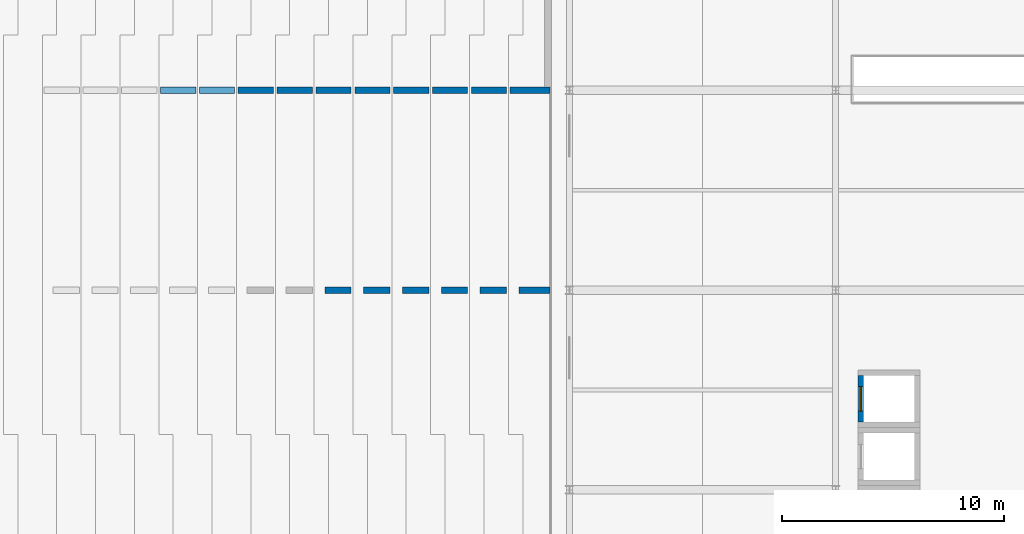
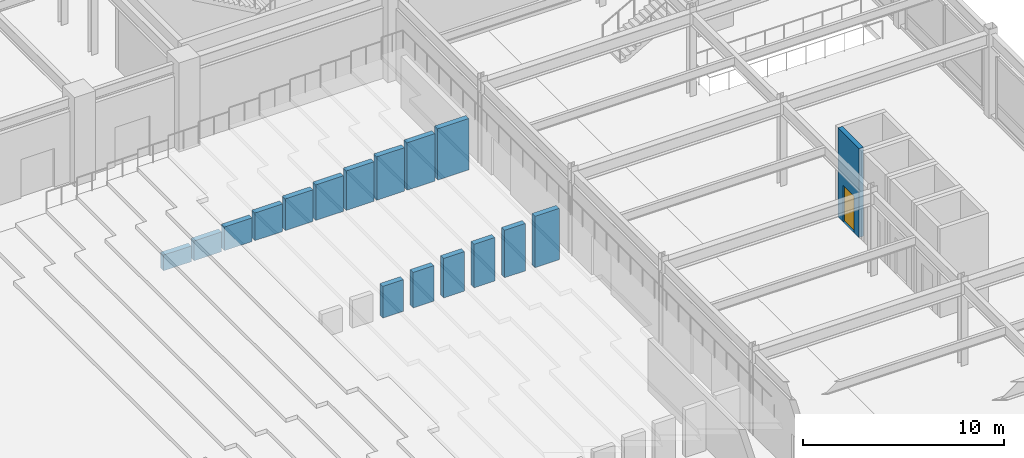
# One storey, part 82 of 100: 17 walls, 1 door, 1 opening.
"""IFC4 building model written with IfcOpenShell, lengths in metres."""

from ifc_helpers import new_model, si_unit, direction, frame, frame_2d, origin, place, context, subcontext, project, spatial, rectangle, extrude, material, layer, layer_set, type_object, element, fill, save


model = new_model("IFC4")

# Units and contexts
model_context = context("Model", 3, precision=1e-05, world=origin(), true_north=direction((0.0, 1.0)))
body_context = subcontext(model_context, "Body", "Model", "MODEL_VIEW")
ifc_project = project(units=[si_unit("LENGTHUNIT", "METRE"), si_unit("AREAUNIT", "SQUARE_METRE"), si_unit("VOLUMEUNIT", "CUBIC_METRE"), si_unit("PLANEANGLEUNIT", "RADIAN"), si_unit("MASSUNIT", "GRAM", prefix="KILO")], contexts=[model_context])

# Site, building, storey
site_placement = place(None, origin())
site = spatial("IfcSite", under=ifc_project, at=site_placement, CompositionType="ELEMENT")
building_placement = place(site_placement, origin())
building = spatial("IfcBuilding", under=site, at=building_placement, Name="Kaldorvane Square Convention Centre", CompositionType="ELEMENT")
storey_placement = place(building_placement, frame((0.0, 0.0, 18.0)))
storey = spatial("IfcBuildingStorey", under=building, at=storey_placement, Name="L03", CompositionType="ELEMENT", Elevation=18.0)

# Walls
ifc_material_1 = material(Name="Concrete f'c = 55 MPa (Normalweight)", Category="concrete")
ifc_layer = layer(ifc_material_1, 0.3000030517578125)
ifc_layer_set = layer_set([ifc_layer], Name="Concrete f'c = 55 MPa (Normalweight)")
wall_type = type_object("IfcWallType", Name="WL-SHAFT-300", PredefinedType="SHEAR", material=ifc_layer_set)
wall_1_placement = place(storey_placement, frame((95.58000183105469, 63.0, 0.0), z_axis=(0.0, 0.0, 1.0), x_axis=(1.0, 0.0, 0.0)))
element("IfcWall", 1, at=wall_1_placement, inside=storey, type_object=wall_type, Name="Plenary Tier 05 Stringer Wall 4", PredefinedType="SHEAR", context=body_context, shape_type="SweptSolid", body=[
    extrude(rectangle(XDim=1.589996337890625, YDim=0.3000030517578125, at=frame_2d((0.7949981689453125, 0.0))), origin(), (0.0, 0.0, 1.0), 0.9600067138671875),
])
wall_2_placement = place(storey_placement, frame((97.33000183105469, 63.0, 0.0), z_axis=(0.0, 0.0, 1.0), x_axis=(1.0, 0.0, 0.0)))
element("IfcWall", 2, at=wall_2_placement, inside=storey, type_object=wall_type, Name="Plenary Tier 06 Stringer Wall 4", PredefinedType="SHEAR", context=body_context, shape_type="SweptSolid", body=[
    extrude(rectangle(XDim=1.589996337890625, YDim=0.3000030517578125, at=frame_2d((0.7949981689453125, 0.0))), origin(), (0.0, 0.0, 1.0), 1.1999969482421875),
])
wall_3_placement = place(storey_placement, frame((99.08000183105469, 63.0, 0.0), z_axis=(0.0, 0.0, 1.0), x_axis=(1.0, 0.0, 0.0)))
element("IfcWall", 3, at=wall_3_placement, inside=storey, type_object=wall_type, Name="Plenary Tier 07 Stringer Wall 4", PredefinedType="SHEAR", context=body_context, shape_type="SweptSolid", body=[
    extrude(rectangle(XDim=1.589996337890625, YDim=0.3000030517578125, at=frame_2d((0.7949981689453125, 0.0))), origin(), (0.0, 0.0, 1.0), 1.44000244140625),
])
wall_4_placement = place(storey_placement, frame((100.83000183105469, 63.0, 0.0), z_axis=(0.0, 0.0, 1.0), x_axis=(1.0, 0.0, 0.0)))
element("IfcWall", 4, at=wall_4_placement, inside=storey, type_object=wall_type, Name="Plenary Tier 08 Stringer Wall 4", PredefinedType="SHEAR", context=body_context, shape_type="SweptSolid", body=[
    extrude(rectangle(XDim=1.589996337890625, YDim=0.3000030517578125, at=frame_2d((0.7949981689453125, 0.0))), origin(), (0.0, 0.0, 1.0), 1.67999267578125),
])
wall_5_placement = place(storey_placement, frame((102.97999572753906, 54.0, 0.0), z_axis=(0.0, 0.0, 1.0), x_axis=(1.0, 0.0, 0.0)))
element("IfcWall", 5, at=wall_5_placement, inside=storey, type_object=wall_type, Name="Plenary Tier 09 Stringer Wall 3", PredefinedType="SHEAR", context=body_context, shape_type="SweptSolid", body=[
    extrude(rectangle(XDim=1.19000244140625, YDim=0.3000030517578125, at=frame_2d((0.595001220703125, 0.0))), origin(), (0.0, 0.0, 1.0), 1.9199981689453125),
])
wall_6_placement = place(storey_placement, frame((102.58000183105469, 63.0, 0.0), z_axis=(0.0, 0.0, 1.0), x_axis=(1.0, 0.0, 0.0)))
element("IfcWall", 6, at=wall_6_placement, inside=storey, type_object=wall_type, Name="Plenary Tier 09 Stringer Wall 4", PredefinedType="SHEAR", context=body_context, shape_type="SweptSolid", body=[
    extrude(rectangle(XDim=1.589996337890625, YDim=0.3000030517578125, at=frame_2d((0.7949981689453125, 0.0))), origin(), (0.0, 0.0, 1.0), 1.9199981689453125),
])
wall_7_placement = place(storey_placement, frame((104.72999572753906, 54.0, 0.0), z_axis=(0.0, 0.0, 1.0), x_axis=(1.0, 0.0, 0.0)))
element("IfcWall", 7, at=wall_7_placement, inside=storey, type_object=wall_type, Name="Plenary Tier 10 Stringer Wall 3", PredefinedType="SHEAR", context=body_context, shape_type="SweptSolid", body=[
    extrude(rectangle(XDim=1.19000244140625, YDim=0.3000030517578125, at=frame_2d((0.595001220703125, 0.0))), origin(), (0.0, 0.0, 1.0), 2.160003662109375),
])
wall_8_placement = place(storey_placement, frame((104.33000183105469, 63.0, 0.0), z_axis=(0.0, 0.0, 1.0), x_axis=(1.0, 0.0, 0.0)))
element("IfcWall", 8, at=wall_8_placement, inside=storey, type_object=wall_type, Name="Plenary Tier 10 Stringer Wall 4", PredefinedType="SHEAR", context=body_context, shape_type="SweptSolid", body=[
    extrude(rectangle(XDim=1.589996337890625, YDim=0.3000030517578125, at=frame_2d((0.7949981689453125, 0.0))), origin(), (0.0, 0.0, 1.0), 2.160003662109375),
])
wall_9_placement = place(storey_placement, frame((106.47999572753906, 54.0, 0.0), z_axis=(0.0, 0.0, 1.0), x_axis=(1.0, 0.0, 0.0)))
element("IfcWall", 9, at=wall_9_placement, inside=storey, type_object=wall_type, Name="Plenary Tier 11 Stringer Wall 3", PredefinedType="SHEAR", context=body_context, shape_type="SweptSolid", body=[
    extrude(rectangle(XDim=1.19000244140625, YDim=0.3000030517578125, at=frame_2d((0.595001220703125, 0.0))), origin(), (0.0, 0.0, 1.0), 2.399993896484375),
])
wall_10_placement = place(storey_placement, frame((106.08000183105469, 63.0, 0.0), z_axis=(0.0, 0.0, 1.0), x_axis=(1.0, 0.0, 0.0)))
element("IfcWall", 10, at=wall_10_placement, inside=storey, type_object=wall_type, Name="Plenary Tier 11 Stringer Wall 4", PredefinedType="SHEAR", context=body_context, shape_type="SweptSolid", body=[
    extrude(rectangle(XDim=1.589996337890625, YDim=0.3000030517578125, at=frame_2d((0.7949981689453125, 0.0))), origin(), (0.0, 0.0, 1.0), 2.399993896484375),
])
wall_11_placement = place(storey_placement, frame((108.22999572753906, 54.0, 0.0), z_axis=(0.0, 0.0, 1.0), x_axis=(1.0, 0.0, 0.0)))
element("IfcWall", 11, at=wall_11_placement, inside=storey, type_object=wall_type, Name="Plenary Tier 12 Stringer Wall 3", PredefinedType="SHEAR", context=body_context, shape_type="SweptSolid", body=[
    extrude(rectangle(XDim=1.19000244140625, YDim=0.3000030517578125, at=frame_2d((0.595001220703125, 0.0))), origin(), (0.0, 0.0, 1.0), 2.6399993896484375),
])
wall_12_placement = place(storey_placement, frame((107.83000183105469, 63.0, 0.0), z_axis=(0.0, 0.0, 1.0), x_axis=(1.0, 0.0, 0.0)))
element("IfcWall", 12, at=wall_12_placement, inside=storey, type_object=wall_type, Name="Plenary Tier 12 Stringer Wall 4", PredefinedType="SHEAR", context=body_context, shape_type="SweptSolid", body=[
    extrude(rectangle(XDim=1.589996337890625, YDim=0.3000030517578125, at=frame_2d((0.7949981689453125, 0.0))), origin(), (0.0, 0.0, 1.0), 2.6399993896484375),
])
wall_13_placement = place(storey_placement, frame((109.97999572753906, 54.0, 0.0), z_axis=(0.0, 0.0, 1.0), x_axis=(1.0, 0.0, 0.0)))
element("IfcWall", 13, at=wall_13_placement, inside=storey, type_object=wall_type, Name="Plenary Tier 13 Stringer Wall 3", PredefinedType="SHEAR", context=body_context, shape_type="SweptSolid", body=[
    extrude(rectangle(XDim=1.19000244140625, YDim=0.3000030517578125, at=frame_2d((0.595001220703125, 0.0))), origin(), (0.0, 0.0, 1.0), 2.8800048828125),
])
wall_14_placement = place(storey_placement, frame((109.58000183105469, 63.0, 0.0), z_axis=(0.0, 0.0, 1.0), x_axis=(1.0, 0.0, 0.0)))
element("IfcWall", 14, at=wall_14_placement, inside=storey, type_object=wall_type, Name="Plenary Tier 13 Stringer Wall 4", PredefinedType="SHEAR", context=body_context, shape_type="SweptSolid", body=[
    extrude(rectangle(XDim=1.589996337890625, YDim=0.3000030517578125, at=frame_2d((0.7949981689453125, 0.0))), origin(), (0.0, 0.0, 1.0), 2.8800048828125),
])
wall_15_placement = place(storey_placement, frame((111.72999572753906, 54.0, 0.0), z_axis=(0.0, 0.0, 1.0), x_axis=(1.0, 0.0, 0.0)))
element("IfcWall", 15, at=wall_15_placement, inside=storey, type_object=wall_type, Name="Plenary Tier 14 Stringer Wall 3", PredefinedType="SHEAR", context=body_context, shape_type="SweptSolid", body=[
    extrude(rectangle(XDim=1.3899993896484375, YDim=0.3000030517578125, at=frame_2d((0.69500732421875, 0.0))), origin(), (0.0, 0.0, 1.0), 3.1199951171875),
])
wall_16_placement = place(storey_placement, frame((111.33000183105469, 63.0, 0.0), z_axis=(0.0, 0.0, 1.0), x_axis=(1.0, 0.0, 0.0)))
element("IfcWall", 16, at=wall_16_placement, inside=storey, type_object=wall_type, Name="Plenary Tier 14 Stringer Wall 4", PredefinedType="SHEAR", context=body_context, shape_type="SweptSolid", body=[
    extrude(rectangle(XDim=1.7899932861328125, YDim=0.3000030517578125, at=frame_2d((0.894989013671875, 0.0))), origin(), (0.0, 0.0, 1.0), 3.1199951171875),
])

# Wall, opening, door
wall_17_placement = place(storey_placement, frame((127.125, 50.149993896484375, 0.0), z_axis=(0.0, 0.0, 1.0), x_axis=(0.0, -1.0, 0.0)))
wall_17 = element("IfcWall", 17, at=wall_17_placement, inside=storey, type_object=wall_type, Name="Core Enclosure Wall lift:EL-C4-W (L03)", PredefinedType="SHEAR", context=body_context, shape_type="SweptSolid", body=[
    extrude(rectangle(XDim=2.0999908447265625, YDim=0.25, at=frame_2d((1.04998779296875, 0.0))), origin(), (0.0, 0.0, 1.0), 5.399993896484375),
])
opening_placement = place(wall_17_placement, frame((0.5, 0.0, 0.0)))
opening = element("IfcOpeningElement", 18, at=opening_placement, cuts=wall_17, Name="Opening LD-01", PredefinedType="OPENING", context=body_context, shape_type="SweptSolid", body=[
    extrude(rectangle(XDim=1.100006103515625, YDim=2.1999969482421875, at=frame_2d((0.5500030517578125, 1.100006103515625))), frame((0.0, 0.1399993896484375, 0.0), z_axis=(0.0, -1.0, 0.0), x_axis=(1.0, 0.0, 0.0)), (0.0, 0.0, 1.0), 0.279998779296875),
])
ifc_material_2 = material(Name="Stainless Steel Elevator Door Assembly", Category="steel")
door_type = type_object("IfcDoorType", Name="DR-LIFT-1100", OperationType="DOUBLE_DOOR_SLIDING", PredefinedType="DOOR", material=ifc_material_2)
door_placement = place(opening_placement, origin())
door = element("IfcDoor", 19, at=door_placement, inside=storey, type_object=door_type, Name="Elevator Landing Door EL-C4 (L03)", OperationType="DOUBLE_DOOR_SLIDING", OverallHeight=2.1999969482421875, OverallWidth=1.100006103515625, PredefinedType="DOOR", context=body_context, shape_type="SweptSolid", body=[
    extrude(rectangle(XDim=1.100006103515625, YDim=2.1999969482421875, at=frame_2d((0.5500030517578125, 1.100006103515625))), frame((0.0, 0.024993896484375, 0.0), z_axis=(0.0, -1.0, 0.0), x_axis=(1.0, 0.0, 0.0)), (0.0, 0.0, 1.0), 0.0500030517578125),
])
fill(opening, door)

save(model, "model.ifc")
